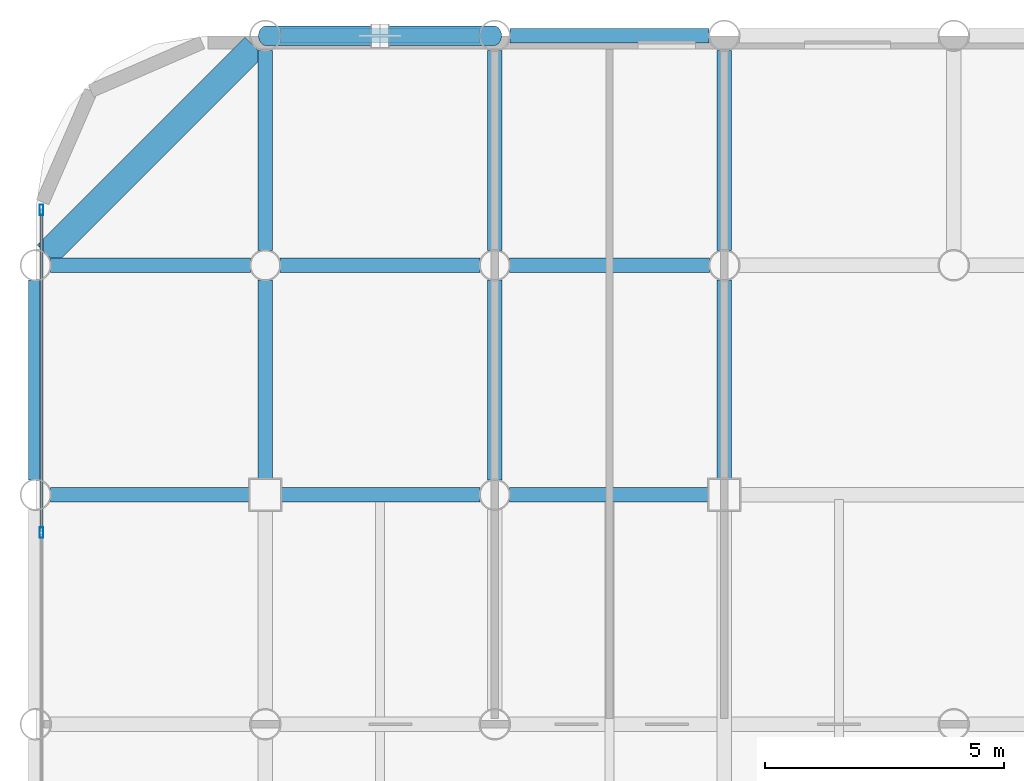
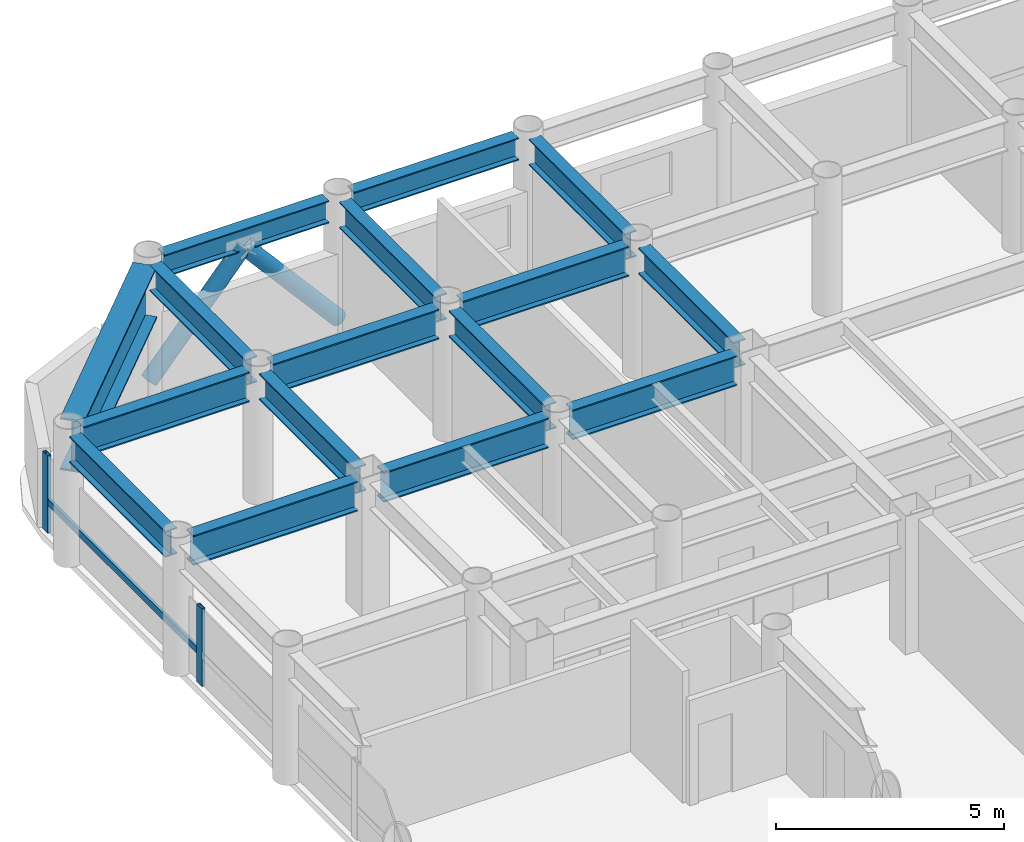
# One storey, part 10 of 20: 16 beams, 5 members, 1 element without a shape of its own.
"""IFC4 building model written with IfcOpenShell, lengths in metres."""

from ifc_helpers import new_model, si_unit, direction, frame, origin, origin_2d, place, context, subcontext, project, spatial, hollow_rectangle, hollow_circle, i_section, extrude, material, layer, layer_set, material_profile, profile_set, type_object, element, aggregate, save


model = new_model("IFC4")

# Units and contexts
model_context = context("Model", 3, precision=1e-05, world=origin(), true_north=direction((0.0, 1.0)))
body_context = subcontext(model_context, "Body", "Model", "MODEL_VIEW")
ifc_project = project(units=[si_unit("LENGTHUNIT", "METRE"), si_unit("AREAUNIT", "SQUARE_METRE"), si_unit("VOLUMEUNIT", "CUBIC_METRE"), si_unit("PLANEANGLEUNIT", "RADIAN"), si_unit("MASSUNIT", "GRAM", prefix="KILO")], contexts=[model_context])

# Site, building, storey
site_placement = place(None, origin())
site = spatial("IfcSite", under=ifc_project, at=site_placement, CompositionType="ELEMENT")
building_placement = place(site_placement, origin())
building = spatial("IfcBuilding", under=site, at=building_placement, Name="Kallvorn Hotel Tower", CompositionType="ELEMENT")
storey_placement = place(building_placement, frame((0.0, 0.0, 98.89990234375)))
storey = spatial("IfcBuildingStorey", under=building, at=storey_placement, Name="L23", CompositionType="ELEMENT", Elevation=98.89990234375)

# Beams
ifc_material_1 = material(Name="Structural steel S355JR", Category="steel")
ifc_material_profile_1 = material_profile(ifc_material_1, i_section(OverallWidth=0.300048828125, OverallDepth=0.60009765625, WebThickness=0.015380859375, FlangeThickness=0.030029296875, at=origin_2d()), Name="HE 600 B")
ifc_profile_set_1 = profile_set([ifc_material_profile_1], Name="Structural steel S355JR")
beam_type_1 = type_object("IfcBeamType", Name="BM_HE600B", PredefinedType="SPANDREL", material=ifc_profile_set_1)
for number, where, z_axis, x_axis, name in (
    (1, (-23.679931640625, 24.0, 3.22021484375), (1.0, 0.0, 0.0), (0.0, 1.0, 0.0), "L24 Perimeter Spandrel 163"),
    (2, (-18.8798828125, 24.0, 3.22021484375), (1.0, 0.0, 0.0), (0.0, 1.0, 0.0), "L24 Perimeter Spandrel 164"),
):
    element("IfcBeam", number, at=place(storey_placement, frame(where, z_axis=z_axis, x_axis=x_axis)), inside=storey, type_object=beam_type_1, Name=name, PredefinedType="SPANDREL", context=body_context, shape_type="SweptSolid", body=[
        extrude(i_section(OverallWidth=0.300048828125, OverallDepth=0.60009765625, WebThickness=0.015380859375, FlangeThickness=0.030029296875, at=origin_2d()), origin(), (0.0, 0.0, 1.0), 4.159912109375),
    ])
ifc_material_2 = material(Name="Structural steel S355JR", Category="steel")
ifc_material_profile_2 = material_profile(ifc_material_2, i_section(OverallWidth=0.300048828125, OverallDepth=0.699951171875, WebThickness=0.01708984375, FlangeThickness=0.031982421875, at=origin_2d()), Name="HE 700 B")
ifc_profile_set_2 = profile_set([ifc_material_profile_2], Name="Structural steel S355JR")
beam_type_2 = type_object("IfcBeamType", Name="BM_HE700B", PredefinedType="BEAM", material=ifc_profile_set_2)
beam_1_placement = place(storey_placement, frame((-28.800048828125, 14.705078125, 3.170166015625), z_axis=(0.0, 1.0, 0.0), x_axis=(-1.0, 0.0, 0.0)))
element("IfcBeam", 3, at=beam_1_placement, inside=storey, type_object=beam_type_2, Name="L24 Primary Y-Girder 80", PredefinedType="BEAM", context=body_context, shape_type="SweptSolid", body=[
    extrude(i_section(OverallWidth=0.300048828125, OverallDepth=0.699951171875, WebThickness=0.01708984375, FlangeThickness=0.031982421875, at=origin_2d()), origin(), (0.0, 0.0, 1.0), 4.18994140625),
])
beam_2_placement = place(storey_placement, frame((-24.0, 14.72509765625, 3.170166015625), z_axis=(0.0, 1.0, 0.0), x_axis=(-1.0, 0.0, 0.0)))
element("IfcBeam", 4, at=beam_2_placement, inside=storey, type_object=beam_type_2, Name="L24 Primary Y-Girder 86", PredefinedType="BEAM", context=body_context, shape_type="SweptSolid", body=[
    extrude(i_section(OverallWidth=0.300048828125, OverallDepth=0.699951171875, WebThickness=0.01708984375, FlangeThickness=0.031982421875, at=origin_2d()), origin(), (0.0, 0.0, 1.0), 4.169921875),
])
beam_3_placement = place(storey_placement, frame((-24.0, 19.5048828125, 3.170166015625), z_axis=(0.0, 1.0, 0.0), x_axis=(-1.0, 0.0, 0.0)))
element("IfcBeam", 5, at=beam_3_placement, inside=storey, type_object=beam_type_2, Name="L24 Primary Y-Girder 87", PredefinedType="BEAM", context=body_context, shape_type="SweptSolid", body=[
    extrude(i_section(OverallWidth=0.300048828125, OverallDepth=0.699951171875, WebThickness=0.01708984375, FlangeThickness=0.031982421875, at=origin_2d()), origin(), (0.0, 0.0, 1.0), 4.190185546875),
])
beam_4_placement = place(storey_placement, frame((-19.199951171875, 14.705078125, 3.170166015625), z_axis=(0.0, 1.0, 0.0), x_axis=(-1.0, 0.0, 0.0)))
element("IfcBeam", 6, at=beam_4_placement, inside=storey, type_object=beam_type_2, Name="L24 Primary Y-Girder 95", PredefinedType="BEAM", context=body_context, shape_type="SweptSolid", body=[
    extrude(i_section(OverallWidth=0.300048828125, OverallDepth=0.699951171875, WebThickness=0.01708984375, FlangeThickness=0.031982421875, at=origin_2d()), origin(), (0.0, 0.0, 1.0), 4.18994140625),
])
beam_5_placement = place(storey_placement, frame((-19.199951171875, 19.5048828125, 3.170166015625), z_axis=(0.0, 1.0, 0.0), x_axis=(-1.0, 0.0, 0.0)))
element("IfcBeam", 7, at=beam_5_placement, inside=storey, type_object=beam_type_2, Name="L24 Primary Y-Girder 96", PredefinedType="BEAM", context=body_context, shape_type="SweptSolid", body=[
    extrude(i_section(OverallWidth=0.300048828125, OverallDepth=0.699951171875, WebThickness=0.01708984375, FlangeThickness=0.031982421875, at=origin_2d()), origin(), (0.0, 0.0, 1.0), 4.190185546875),
])
beam_6_placement = place(storey_placement, frame((-14.39990234375, 14.72509765625, 3.170166015625), z_axis=(0.0, 1.0, 0.0), x_axis=(-1.0, 0.0, 0.0)))
element("IfcBeam", 8, at=beam_6_placement, inside=storey, type_object=beam_type_2, Name="L24 Primary Y-Girder 100", PredefinedType="BEAM", context=body_context, shape_type="SweptSolid", body=[
    extrude(i_section(OverallWidth=0.300048828125, OverallDepth=0.699951171875, WebThickness=0.01708984375, FlangeThickness=0.031982421875, at=origin_2d()), origin(), (0.0, 0.0, 1.0), 4.169921875),
])
beam_7_placement = place(storey_placement, frame((-14.39990234375, 19.5048828125, 3.170166015625), z_axis=(0.0, 1.0, 0.0), x_axis=(-1.0, 0.0, 0.0)))
element("IfcBeam", 9, at=beam_7_placement, inside=storey, type_object=beam_type_2, Name="L24 Primary Y-Girder 101", PredefinedType="BEAM", context=body_context, shape_type="SweptSolid", body=[
    extrude(i_section(OverallWidth=0.300048828125, OverallDepth=0.699951171875, WebThickness=0.01708984375, FlangeThickness=0.031982421875, at=origin_2d()), origin(), (0.0, 0.0, 1.0), 4.190185546875),
])
ifc_material_3 = material(Name="Structural steel S355JR", Category="steel")
ifc_material_profile_3 = material_profile(ifc_material_3, i_section(OverallWidth=0.300048828125, OverallDepth=0.800048828125, WebThickness=0.017578125, FlangeThickness=0.032958984375, at=origin_2d()), Name="HE 800 B")
ifc_profile_set_3 = profile_set([ifc_material_profile_3], Name="Structural steel S355JR")
beam_type_3 = type_object("IfcBeamType", Name="BM_HE800B", PredefinedType="BEAM", material=ifc_profile_set_3)
for number, where, z_axis, x_axis, name in (
    (10, (-28.4951171875, 14.39990234375, 3.1201171875), (1.0, 0.0, 0.0), (0.0, 1.0, 0.0), "L24 Primary X-Girder 50"),
    (11, (-23.675048828125, 14.39990234375, 3.1201171875), (1.0, 0.0, 0.0), (0.0, 1.0, 0.0), "L24 Primary X-Girder 51"),
):
    element("IfcBeam", number, at=place(storey_placement, frame(where, z_axis=z_axis, x_axis=x_axis)), inside=storey, type_object=beam_type_3, Name=name, PredefinedType="BEAM", context=body_context, shape_type="SweptSolid", body=[
        extrude(i_section(OverallWidth=0.300048828125, OverallDepth=0.800048828125, WebThickness=0.017578125, FlangeThickness=0.032958984375, at=origin_2d()), origin(), (0.0, 0.0, 1.0), 4.170166015625),
    ])
beam_8_placement = place(storey_placement, frame((-18.89501953125, 14.39990234375, 3.1201171875), z_axis=(1.0, 0.0, 0.0), x_axis=(0.0, 1.0, 0.0)))
element("IfcBeam", 12, at=beam_8_placement, inside=storey, type_object=beam_type_3, Name="L24 Primary X-Girder 52", PredefinedType="BEAM", context=body_context, shape_type="SweptSolid", body=[
    extrude(i_section(OverallWidth=0.300048828125, OverallDepth=0.800048828125, WebThickness=0.017578125, FlangeThickness=0.032958984375, at=origin_2d()), origin(), (0.0, 0.0, 1.0), 4.169921875),
])
for number, where, z_axis, x_axis, name in (
    (13, (-28.4951171875, 19.199951171875, 3.1201171875), (1.0, 0.0, 0.0), (0.0, 1.0, 0.0), "L24 Primary X-Girder 60"),
    (14, (-23.695068359375, 19.199951171875, 3.1201171875), (1.0, 0.0, 0.0), (0.0, 1.0, 0.0), "L24 Primary X-Girder 61"),
):
    element("IfcBeam", number, at=place(storey_placement, frame(where, z_axis=z_axis, x_axis=x_axis)), inside=storey, type_object=beam_type_3, Name=name, PredefinedType="BEAM", context=body_context, shape_type="SweptSolid", body=[
        extrude(i_section(OverallWidth=0.300048828125, OverallDepth=0.800048828125, WebThickness=0.017578125, FlangeThickness=0.032958984375, at=origin_2d()), origin(), (0.0, 0.0, 1.0), 4.190185546875),
    ])
beam_9_placement = place(storey_placement, frame((-18.89501953125, 19.199951171875, 3.1201171875), z_axis=(1.0, 0.0, 0.0), x_axis=(0.0, 1.0, 0.0)))
element("IfcBeam", 15, at=beam_9_placement, inside=storey, type_object=beam_type_3, Name="L24 Primary X-Girder 62", PredefinedType="BEAM", context=body_context, shape_type="SweptSolid", body=[
    extrude(i_section(OverallWidth=0.300048828125, OverallDepth=0.800048828125, WebThickness=0.017578125, FlangeThickness=0.032958984375, at=origin_2d()), origin(), (0.0, 0.0, 1.0), 4.18994140625),
])
ifc_material_4 = material(Name="Structural steel S355JR", Category="steel")
ifc_material_profile_4 = material_profile(ifc_material_4, i_section(OverallWidth=0.550048828125, OverallDepth=1.39990234375, WebThickness=0.02490234375, FlangeThickness=0.044921875, at=origin_2d()), Name="PG 1400x550x25x45")
ifc_profile_set_4 = profile_set([ifc_material_profile_4], Name="Structural steel S355JR")
beam_type_4 = type_object("IfcBeamType", Name="BM_PG_1400", PredefinedType="BEAM", material=ifc_profile_set_4)
beam_10_placement = place(storey_placement, frame((-28.57373046875, 19.42626953125, 2.820068359375), z_axis=(0.707106781187, 0.707106781187, 0.0), x_axis=(-0.707106781187, 0.707106781187, 0.0)))
element("IfcBeam", 16, at=beam_10_placement, inside=storey, type_object=beam_type_4, Name="L24 Rounded Corner Tie Beam 189", PredefinedType="BEAM", context=body_context, shape_type="SweptSolid", body=[
    extrude(i_section(OverallWidth=0.550048828125, OverallDepth=1.39990234375, WebThickness=0.02490234375, FlangeThickness=0.044921875, at=origin_2d()), origin(), (0.0, 0.0, 1.0), 6.148193359375),
])

# Curtain wall, members
ifc_material_5 = material(Name="Thermally broken black-anodised aluminium AA 6063-T6", Category="aluminium")
ifc_layer = layer(ifc_material_5, 0.199951171875)
ifc_layer_set = layer_set([ifc_layer], Name="CW_SYS_3_HOTEL_LOW")
curtain_wall_type = type_object("IfcCurtainWallType", Name="CW_SYS_3_HOTEL_LOW", PredefinedType="USERDEFINED", material=ifc_layer_set)
curtain_wall_placement = place(storey_placement, origin())
curtain_wall = element("IfcCurtainWall", 17, at=curtain_wall_placement, inside=storey, type_object=curtain_wall_type, Name="L23 Dark-Glass Curtain Wall CW-L23-WN", ObjectType="UNITISED CURTAIN WALL", PredefinedType="USERDEFINED")
ifc_material_6 = material(Name="Thermally broken black-anodised aluminium AA 6063-T6", Category="aluminium")
ifc_material_profile_5 = material_profile(ifc_material_6, hollow_rectangle(XDim=0.080078125, YDim=0.219970703125, WallThickness=0.0048828125, at=origin_2d()), Name="MUL 220x80")
ifc_profile_set_5 = profile_set([ifc_material_profile_5], Name="Thermally broken black-anodised aluminium AA 6063-T6")
member_type_1 = type_object("IfcMemberType", Name="CW_MULLION_220x80", PredefinedType="MULLION", material=ifc_profile_set_5)
member_1_placement = place(storey_placement, frame((-28.679931640625, 13.606689453125, 0.02001953125), z_axis=(0.0, 0.0, 1.0), x_axis=(1.0, 0.0, 0.0)))
member_1 = element("IfcMember", 18, at=member_1_placement, type_object=member_type_1, Name="CW-L23-WN Mullion 02", PredefinedType="MULLION", context=body_context, shape_type="SweptSolid", body=[
    extrude(hollow_rectangle(XDim=0.080078125, YDim=0.219970703125, WallThickness=0.0048828125, at=origin_2d()), origin(), (0.0, 0.0, 1.0), 2.080078125),
])
member_2_placement = place(storey_placement, frame((-28.679931640625, 20.360107421875, 0.02001953125), z_axis=(0.0, 0.0, 1.0), x_axis=(1.0, 0.0, 0.0)))
member_2 = element("IfcMember", 19, at=member_2_placement, type_object=member_type_1, Name="CW-L23-WN Mullion 03", PredefinedType="MULLION", context=body_context, shape_type="SweptSolid", body=[
    extrude(hollow_rectangle(XDim=0.080078125, YDim=0.219970703125, WallThickness=0.0048828125, at=origin_2d()), origin(), (0.0, 0.0, 1.0), 2.080078125),
])
ifc_material_7 = material(Name="Thermally broken black-anodised aluminium AA 6063-T6", Category="aluminium")
ifc_material_profile_6 = material_profile(ifc_material_7, hollow_rectangle(XDim=0.070068359375, YDim=0.179931640625, WallThickness=0.00390625, at=origin_2d()), Name="TRN 180x70")
ifc_profile_set_6 = profile_set([ifc_material_profile_6], Name="Thermally broken black-anodised aluminium AA 6063-T6")
member_type_2 = type_object("IfcMemberType", Name="CW_TRANSOM_180x70", PredefinedType="USERDEFINED", material=ifc_profile_set_6)
member_3_placement = place(storey_placement, frame((-28.679931640625, 13.646728515625, 0.85009765625), z_axis=(0.0, 1.0, 0.0), x_axis=(-1.0, 0.0, 0.0)))
member_3 = element("IfcMember", 20, at=member_3_placement, type_object=member_type_2, Name="CW-L23-WN Transom 02M", ObjectType="TRANSOM", PredefinedType="USERDEFINED", context=body_context, shape_type="SweptSolid", body=[
    extrude(hollow_rectangle(XDim=0.070068359375, YDim=0.179931640625, WallThickness=0.00390625, at=origin_2d()), origin(), (0.0, 0.0, 1.0), 6.71337890625),
])
aggregate(curtain_wall, [member_1, member_2, member_3])

# Members
ifc_material_8 = material(Name="Structural steel S355J2H", Category="steel")
ifc_material_profile_7 = material_profile(ifc_material_8, hollow_circle(Radius=0.203125, WallThickness=0.01611328125, at=origin_2d()), Name="CHS 406.4x16")
ifc_profile_set_7 = profile_set([ifc_material_profile_7], Name="Structural steel S355J2H")
member_type_3 = type_object("IfcMemberType", Name="MBR_EXO_CHS406", PredefinedType="BRACE", material=ifc_profile_set_7)
for number, where, z_axis, x_axis, name in (
    (21, (-23.98681640625, 24.0, 0.1953125), (0.65346062529, 0.0, 0.756960508346), (0.0, 1.0, 0.0), "L23 Exoskeleton K-Brace N1A"),
    (22, (-19.213134765625, 24.0, 0.1953125), (-0.65346062529, 0.0, 0.756960508346), (0.0, -1.0, 0.0), "L23 Exoskeleton K-Brace N1B"),
):
    element("IfcMember", number, at=place(storey_placement, frame(where, z_axis=z_axis, x_axis=x_axis)), inside=storey, type_object=member_type_3, Name=name, PredefinedType="BRACE", context=body_context, shape_type="SweptSolid", body=[
        extrude(hollow_circle(Radius=0.203125, WallThickness=0.01611328125, at=origin_2d()), origin(), (0.0, 0.0, 1.0), 3.632568359375),
    ])

save(model, "model.ifc")
